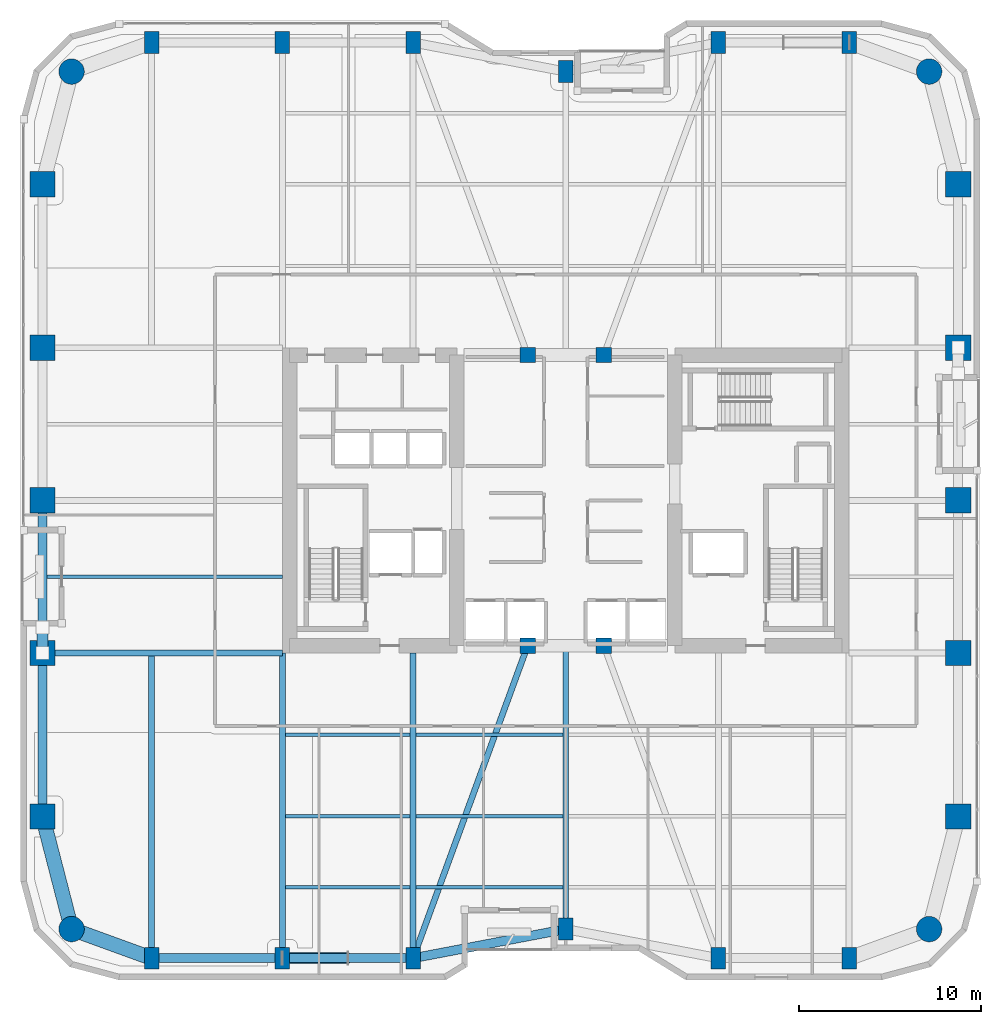
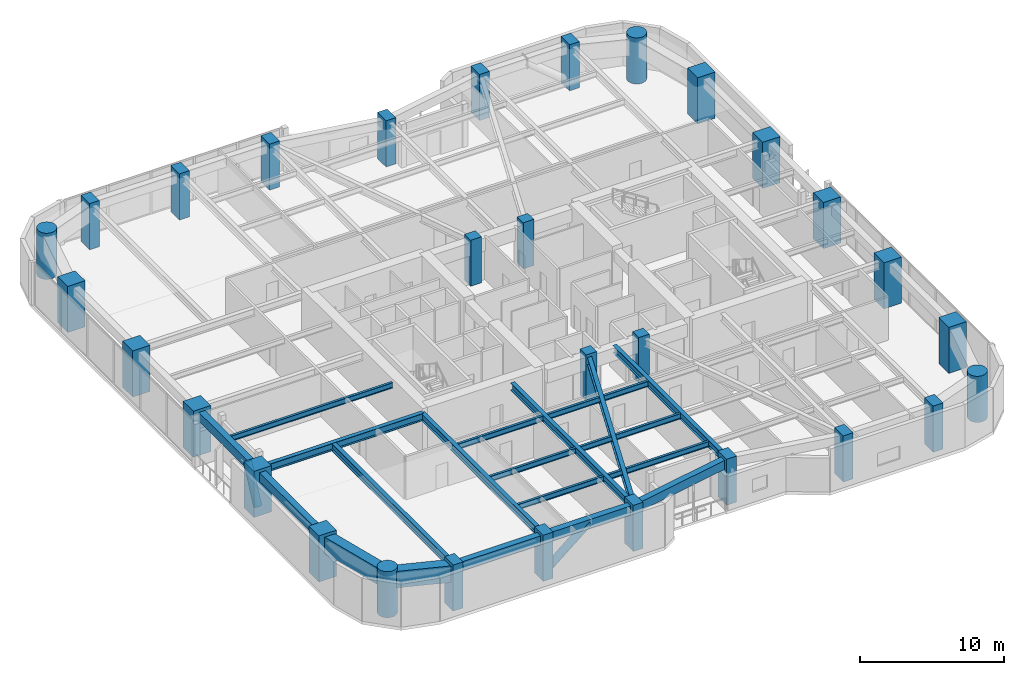
# One storey, part 1 of 24: 30 columns, 20 beams, 2 members.
"""IFC4 building model written with IfcOpenShell, lengths in metres."""

from ifc_helpers import new_model, si_unit, direction, frame, origin, origin_2d, place, context, subcontext, project, spatial, rectangle, circle, hollow_circle, i_section, extrude, material, material_profile, profile_set, type_object, element, save


model = new_model("IFC4")

# Units and contexts
model_context = context("Model", 3, precision=1e-05, world=origin(), true_north=direction((0.0, 1.0)))
body_context = subcontext(model_context, "Body", "Model", "MODEL_VIEW")
ifc_project = project(units=[si_unit("LENGTHUNIT", "METRE"), si_unit("AREAUNIT", "SQUARE_METRE"), si_unit("VOLUMEUNIT", "CUBIC_METRE"), si_unit("PLANEANGLEUNIT", "RADIAN"), si_unit("MASSUNIT", "GRAM", prefix="KILO")], contexts=[model_context])

# Site, building, storey
site_placement = place(None, origin())
site = spatial("IfcSite", under=ifc_project, at=site_placement, CompositionType="ELEMENT")
building_placement = place(site_placement, origin())
building = spatial("IfcBuilding", under=site, at=building_placement, Name="Kiyonajd Concourse Tower", CompositionType="ELEMENT")
storey_placement = place(building_placement, frame((0.0, 0.0, 109.199951171875)))
storey = spatial("IfcBuildingStorey", under=building, at=storey_placement, Name="L28", CompositionType="ELEMENT", Elevation=109.199951171875)

# Columns
ifc_material_1 = material(Name="Concrete C70/85", Category="concrete")
ifc_material_profile_1 = material_profile(ifc_material_1, rectangle(XDim=0.800048828125, YDim=1.199951171875, at=origin_2d()), Name="RC-1200x800")
ifc_profile_set_1 = profile_set([ifc_material_profile_1], Name="Concrete C70/85")
column_type_1 = type_object("IfcColumnType", Name="CL-BLADE-1200", PredefinedType="COLUMN", material=ifc_profile_set_1)
for number, where, z_axis, x_axis, name in (
    (1, (25.199951171875, 10.800048828125, 0.0), (0.0, 0.0, 1.0), (1.0, 0.0, 0.0), "L28 Perimeter Bundled Tube Column"),
    (2, (25.199951171875, 61.199951171875, 0.0), (0.0, 0.0, 1.0), (1.0, 0.0, 0.0), "L28 Perimeter Bundled Tube Column"),
    (3, (32.39990234375, 10.800048828125, 0.0), (0.0, 0.0, 1.0), (1.0, 0.0, 0.0), "L28 Perimeter Bundled Tube Column"),
    (4, (32.39990234375, 61.199951171875, 0.0), (0.0, 0.0, 1.0), (1.0, 0.0, 0.0), "L28 Perimeter Bundled Tube Column"),
    (5, (39.60009765625, 10.800048828125, 0.0), (0.0, 0.0, 1.0), (1.0, 0.0, 0.0), "L28 Perimeter Bundled Tube Column"),
    (6, (39.60009765625, 61.199951171875, 0.0), (0.0, 0.0, 1.0), (1.0, 0.0, 0.0), "L28 Perimeter Bundled Tube Column"),
    (7, (48.0, 12.39990234375, 0.0), (0.0, 0.0, 1.0), (1.0, 0.0, 0.0), "L28 Perimeter Bundled Tube Column"),
    (8, (48.0, 59.60009765625, 0.0), (0.0, 0.0, 1.0), (1.0, 0.0, 0.0), "L28 Perimeter Bundled Tube Column"),
    (9, (56.39990234375, 10.800048828125, 0.0), (0.0, 0.0, 1.0), (1.0, 0.0, 0.0), "L28 Perimeter Bundled Tube Column"),
    (10, (56.39990234375, 61.199951171875, 0.0), (0.0, 0.0, 1.0), (1.0, 0.0, 0.0), "L28 Perimeter Bundled Tube Column"),
    (11, (63.60009765625, 10.800048828125, 0.0), (0.0, 0.0, 1.0), (1.0, 0.0, 0.0), "L28 Perimeter Bundled Tube Column"),
    (12, (63.60009765625, 61.199951171875, 0.0), (0.0, 0.0, 1.0), (1.0, 0.0, 0.0), "L28 Perimeter Bundled Tube Column"),
):
    element("IfcColumn", number, at=place(storey_placement, frame(where, z_axis=z_axis, x_axis=x_axis)), inside=storey, type_object=column_type_1, Name=name, PredefinedType="COLUMN", context=body_context, shape_type="SweptSolid", body=[
        extrude(rectangle(XDim=0.800048828125, YDim=1.199951171875, at=origin_2d()), origin(), (0.0, 0.0, 1.0), 3.900146484375),
    ])
ifc_material_2 = material(Name="Concrete C80/95", Category="concrete")
ifc_material_profile_2 = material_profile(ifc_material_2, circle(Radius=0.699951171875, at=origin_2d()), Name="RCC-D1400")
ifc_profile_set_2 = profile_set([ifc_material_profile_2], Name="Concrete C80/95")
column_type_2 = type_object("IfcColumnType", Name="CL-RND-1400", PredefinedType="COLUMN", material=ifc_profile_set_2)
for number, where, z_axis, x_axis, name in (
    (13, (20.800048828125, 12.39990234375, 0.0), (0.0, 0.0, 1.0), (1.0, 0.0, 0.0), "L28 Bundled Tube Corner Column South West"),
    (14, (68.0, 12.39990234375, 0.0), (0.0, 0.0, 1.0), (1.0, 0.0, 0.0), "L28 Bundled Tube Corner Column South East"),
    (15, (68.0, 59.60009765625, 0.0), (0.0, 0.0, 1.0), (1.0, 0.0, 0.0), "L28 Bundled Tube Corner Column North East"),
    (16, (20.800048828125, 59.60009765625, 0.0), (0.0, 0.0, 1.0), (1.0, 0.0, 0.0), "L28 Bundled Tube Corner Column North West"),
):
    element("IfcColumn", number, at=place(storey_placement, frame(where, z_axis=z_axis, x_axis=x_axis)), inside=storey, type_object=column_type_2, Name=name, PredefinedType="COLUMN", context=body_context, shape_type="SweptSolid", body=[
        extrude(circle(Radius=0.699951171875, at=origin_2d()), origin(), (0.0, 0.0, 1.0), 3.900146484375),
    ])
ifc_material_profile_3 = material_profile(ifc_material_1, rectangle(XDim=1.39990234375, YDim=1.39990234375, at=origin_2d()), Name="RC-1400x1400")
ifc_profile_set_3 = profile_set([ifc_material_profile_3], Name="Concrete C70/85")
column_type_3 = type_object("IfcColumnType", Name="CL-TUBE-1400", PredefinedType="COLUMN", material=ifc_profile_set_3)
for number, where, z_axis, x_axis, name in (
    (17, (19.199951171875, 18.60009765625, 0.0), (0.0, 0.0, 1.0), (1.0, 0.0, 0.0), "L28 Perimeter Bundled Tube Column"),
    (18, (69.60009765625, 18.60009765625, 0.0), (0.0, 0.0, 1.0), (1.0, 0.0, 0.0), "L28 Perimeter Bundled Tube Column"),
    (19, (19.199951171875, 27.60009765625, 0.0), (0.0, 0.0, 1.0), (1.0, 0.0, 0.0), "L28 Perimeter Bundled Tube Column"),
    (20, (69.60009765625, 27.60009765625, 0.0), (0.0, 0.0, 1.0), (1.0, 0.0, 0.0), "L28 Perimeter Bundled Tube Column"),
    (21, (19.199951171875, 36.0, 0.0), (0.0, 0.0, 1.0), (1.0, 0.0, 0.0), "L28 Perimeter Bundled Tube Column"),
    (22, (69.60009765625, 36.0, 0.0), (0.0, 0.0, 1.0), (1.0, 0.0, 0.0), "L28 Perimeter Bundled Tube Column"),
    (23, (19.199951171875, 44.39990234375, 0.0), (0.0, 0.0, 1.0), (1.0, 0.0, 0.0), "L28 Perimeter Bundled Tube Column"),
    (24, (69.60009765625, 44.39990234375, 0.0), (0.0, 0.0, 1.0), (1.0, 0.0, 0.0), "L28 Perimeter Bundled Tube Column"),
    (25, (19.199951171875, 53.39990234375, 0.0), (0.0, 0.0, 1.0), (1.0, 0.0, 0.0), "L28 Perimeter Bundled Tube Column"),
    (26, (69.60009765625, 53.39990234375, 0.0), (0.0, 0.0, 1.0), (1.0, 0.0, 0.0), "L28 Perimeter Bundled Tube Column"),
):
    element("IfcColumn", number, at=place(storey_placement, frame(where, z_axis=z_axis, x_axis=x_axis)), inside=storey, type_object=column_type_3, Name=name, PredefinedType="COLUMN", context=body_context, shape_type="SweptSolid", body=[
        extrude(rectangle(XDim=1.39990234375, YDim=1.39990234375, at=origin_2d()), origin(), (0.0, 0.0, 1.0), 3.900146484375),
    ])
ifc_material_3 = material(Name="Concrete C60/75", Category="concrete")
ifc_material_profile_4 = material_profile(ifc_material_3, rectangle(XDim=0.85009765625, YDim=0.85009765625, at=origin_2d()), Name="RC-850x850")
ifc_profile_set_4 = profile_set([ifc_material_profile_4], Name="Concrete C60/75")
column_type_4 = type_object("IfcColumnType", Name="CL-TUBE-850", PredefinedType="COLUMN", material=ifc_profile_set_4)
for number, where, z_axis, x_axis, name in (
    (27, (45.89990234375, 28.0, 0.0), (0.0, 0.0, 1.0), (1.0, 0.0, 0.0), "L28 Core Tie Column South West"),
    (28, (50.10009765625, 28.0, 0.0), (0.0, 0.0, 1.0), (1.0, 0.0, 0.0), "L28 Core Tie Column South East"),
    (29, (45.89990234375, 44.0, 0.0), (0.0, 0.0, 1.0), (1.0, 0.0, 0.0), "L28 Core Tie Column North West"),
    (30, (50.10009765625, 44.0, 0.0), (0.0, 0.0, 1.0), (1.0, 0.0, 0.0), "L28 Core Tie Column North East"),
):
    element("IfcColumn", number, at=place(storey_placement, frame(where, z_axis=z_axis, x_axis=x_axis)), inside=storey, type_object=column_type_4, Name=name, PredefinedType="COLUMN", context=body_context, shape_type="SweptSolid", body=[
        extrude(rectangle(XDim=0.85009765625, YDim=0.85009765625, at=origin_2d()), origin(), (0.0, 0.0, 1.0), 3.900146484375),
    ])

# Beams
ifc_material_4 = material(Name="Steel ASTM A992 Grade 50", Category="steel")
ifc_material_profile_5 = material_profile(ifc_material_4, i_section(OverallWidth=0.19189453125, OverallDepth=0.462890625, WebThickness=0.010498046875, FlangeThickness=0.017578125, at=origin_2d()), Name="W460X89")
ifc_profile_set_5 = profile_set([ifc_material_profile_5], Name="Steel ASTM A992 Grade 50")
beam_type_1 = type_object("IfcBeamType", Name="BM-JST-460B", PredefinedType="JOIST", material=ifc_profile_set_5)
beam_1_placement = place(storey_placement, frame((32.5634765625, 14.699951171875, 3.408447265625), z_axis=(1.0, 0.0, 0.0), x_axis=(0.0, 1.0, 0.0)))
element("IfcBeam", 31, at=beam_1_placement, inside=storey, type_object=beam_type_1, Name="L28 Secondary Floor Joist", PredefinedType="JOIST", context=body_context, shape_type="SweptSolid", body=[
    extrude(i_section(OverallWidth=0.19189453125, OverallDepth=0.462890625, WebThickness=0.010498046875, FlangeThickness=0.017578125, at=origin_2d()), origin(), (0.0, 0.0, 1.0), 6.873046875),
])
beam_2_placement = place(storey_placement, frame((39.763427734375, 14.699951171875, 3.408447265625), z_axis=(1.0, 0.0, 0.0), x_axis=(0.0, 1.0, 0.0)))
element("IfcBeam", 32, at=beam_2_placement, inside=storey, type_object=beam_type_1, Name="L28 Secondary Floor Joist", PredefinedType="JOIST", context=body_context, shape_type="SweptSolid", body=[
    extrude(i_section(OverallWidth=0.19189453125, OverallDepth=0.462890625, WebThickness=0.010498046875, FlangeThickness=0.017578125, at=origin_2d()), origin(), (0.0, 0.0, 1.0), 8.072998046875),
])
beam_3_placement = place(storey_placement, frame((32.5634765625, 18.60009765625, 3.408447265625), z_axis=(1.0, 0.0, 0.0), x_axis=(0.0, 1.0, 0.0)))
element("IfcBeam", 33, at=beam_3_placement, inside=storey, type_object=beam_type_1, Name="L28 Secondary Floor Joist", PredefinedType="JOIST", context=body_context, shape_type="SweptSolid", body=[
    extrude(i_section(OverallWidth=0.19189453125, OverallDepth=0.462890625, WebThickness=0.010498046875, FlangeThickness=0.017578125, at=origin_2d()), origin(), (0.0, 0.0, 1.0), 6.873046875),
])
beam_4_placement = place(storey_placement, frame((39.763427734375, 18.60009765625, 3.408447265625), z_axis=(1.0, 0.0, 0.0), x_axis=(0.0, 1.0, 0.0)))
element("IfcBeam", 34, at=beam_4_placement, inside=storey, type_object=beam_type_1, Name="L28 Secondary Floor Joist", PredefinedType="JOIST", context=body_context, shape_type="SweptSolid", body=[
    extrude(i_section(OverallWidth=0.19189453125, OverallDepth=0.462890625, WebThickness=0.010498046875, FlangeThickness=0.017578125, at=origin_2d()), origin(), (0.0, 0.0, 1.0), 8.072998046875),
])
beam_5_placement = place(storey_placement, frame((32.5634765625, 23.10009765625, 3.408447265625), z_axis=(1.0, 0.0, 0.0), x_axis=(0.0, 1.0, 0.0)))
element("IfcBeam", 35, at=beam_5_placement, inside=storey, type_object=beam_type_1, Name="L28 Secondary Floor Joist", PredefinedType="JOIST", context=body_context, shape_type="SweptSolid", body=[
    extrude(i_section(OverallWidth=0.19189453125, OverallDepth=0.462890625, WebThickness=0.010498046875, FlangeThickness=0.017578125, at=origin_2d()), origin(), (0.0, 0.0, 1.0), 6.873046875),
])
beam_6_placement = place(storey_placement, frame((39.763427734375, 23.10009765625, 3.408447265625), z_axis=(1.0, 0.0, 0.0), x_axis=(0.0, 1.0, 0.0)))
element("IfcBeam", 36, at=beam_6_placement, inside=storey, type_object=beam_type_1, Name="L28 Secondary Floor Joist", PredefinedType="JOIST", context=body_context, shape_type="SweptSolid", body=[
    extrude(i_section(OverallWidth=0.19189453125, OverallDepth=0.462890625, WebThickness=0.010498046875, FlangeThickness=0.017578125, at=origin_2d()), origin(), (0.0, 0.0, 1.0), 8.072998046875),
])
beam_7_placement = place(storey_placement, frame((19.449951171875, 31.800048828125, 3.408447265625), z_axis=(1.0, 0.0, 0.0), x_axis=(0.0, 1.0, 0.0)))
element("IfcBeam", 37, at=beam_7_placement, inside=storey, type_object=beam_type_1, Name="L28 West Secondary Floor Joist", PredefinedType="JOIST", context=body_context, shape_type="SweptSolid", body=[
    extrude(i_section(OverallWidth=0.19189453125, OverallDepth=0.462890625, WebThickness=0.010498046875, FlangeThickness=0.017578125, at=origin_2d()), origin(), (0.0, 0.0, 1.0), 12.949951171875),
])
ifc_material_5 = material(Name="Precast concrete C50/60", Category="concrete")
ifc_material_profile_6 = material_profile(ifc_material_5, rectangle(XDim=0.5, YDim=0.75, at=origin_2d()), Name="RCBM-500x750")
ifc_profile_set_6 = profile_set([ifc_material_profile_6], Name="Precast concrete C50/60")
beam_type_2 = type_object("IfcBeamType", Name="BM-SPAN-RC", PredefinedType="SPANDREL", material=ifc_profile_set_6)
beam_8_placement = place(storey_placement, frame((19.199951171875, 27.60009765625, 3.26513671875), z_axis=(0.0, -1.0, 0.0), x_axis=(1.0, 0.0, 0.0)))
element("IfcBeam", 38, at=beam_8_placement, inside=storey, type_object=beam_type_2, Name="L28 Perimeter Bundled Tube Spandrel", PredefinedType="SPANDREL", context=body_context, shape_type="SweptSolid", body=[
    extrude(rectangle(XDim=0.5, YDim=0.75, at=origin_2d()), origin(), (0.0, 0.0, 1.0), 9.0),
])
beam_9_placement = place(storey_placement, frame((25.199951171875, 10.800048828125, 3.26513671875), z_axis=(1.0, 0.0, 0.0), x_axis=(0.0, 1.0, 0.0)))
element("IfcBeam", 39, at=beam_9_placement, inside=storey, type_object=beam_type_2, Name="L28 Perimeter Bundled Tube Spandrel", PredefinedType="SPANDREL", context=body_context, shape_type="SweptSolid", body=[
    extrude(rectangle(XDim=0.5, YDim=0.75, at=origin_2d()), origin(), (0.0, 0.0, 1.0), 7.199951171875),
])
beam_10_placement = place(storey_placement, frame((32.39990234375, 10.800048828125, 3.26513671875), z_axis=(1.0, 0.0, 0.0), x_axis=(0.0, 1.0, 0.0)))
element("IfcBeam", 40, at=beam_10_placement, inside=storey, type_object=beam_type_2, Name="L28 Perimeter Bundled Tube Spandrel", PredefinedType="SPANDREL", context=body_context, shape_type="SweptSolid", body=[
    extrude(rectangle(XDim=0.5, YDim=0.75, at=origin_2d()), origin(), (0.0, 0.0, 1.0), 7.2001953125),
])
beam_11_placement = place(storey_placement, frame((39.60009765625, 10.800048828125, 3.26513671875), z_axis=(0.982341315253, 0.187097675953, 0.0), x_axis=(-0.187097675953, 0.982341315253, 0.0)))
element("IfcBeam", 41, at=beam_11_placement, inside=storey, type_object=beam_type_2, Name="L28 Perimeter Bundled Tube Spandrel", PredefinedType="SPANDREL", context=body_context, shape_type="SweptSolid", body=[
    extrude(rectangle(XDim=0.5, YDim=0.75, at=origin_2d()), origin(), (0.0, 0.0, 1.0), 8.55078125),
])
beam_12_placement = place(storey_placement, frame((19.199951171875, 36.0, 3.26513671875), z_axis=(0.0, -1.0, 0.0), x_axis=(1.0, 0.0, 0.0)))
element("IfcBeam", 42, at=beam_12_placement, inside=storey, type_object=beam_type_2, Name="L28 Perimeter Bundled Tube Spandrel", PredefinedType="SPANDREL", context=body_context, shape_type="SweptSolid", body=[
    extrude(rectangle(XDim=0.5, YDim=0.75, at=origin_2d()), origin(), (0.0, 0.0, 1.0), 8.39990234375),
])
ifc_material_profile_7 = material_profile(ifc_material_4, i_section(OverallWidth=0.326904296875, OverallDepth=0.6220703125, WebThickness=0.015380859375, FlangeThickness=0.0244140625, at=origin_2d()), Name="W610X195")
ifc_profile_set_7 = profile_set([ifc_material_profile_7], Name="Steel ASTM A992 Grade 50")
beam_type_3 = type_object("IfcBeamType", Name="BM-TWR-610A", PredefinedType="BEAM", material=ifc_profile_set_7)
beam_13_placement = place(storey_placement, frame((39.60009765625, 10.800048828125, 3.3291015625), z_axis=(0.343925269715, 0.938997022813, 0.0), x_axis=(-0.938997022813, 0.343925269715, 0.0)))
element("IfcBeam", 43, at=beam_13_placement, inside=storey, type_object=beam_type_3, Name="L28 Core Tie Girder", PredefinedType="BEAM", context=body_context, shape_type="SweptSolid", body=[
    extrude(i_section(OverallWidth=0.326904296875, OverallDepth=0.6220703125, WebThickness=0.015380859375, FlangeThickness=0.0244140625, at=origin_2d()), origin(), (0.0, 0.0, 1.0), 18.3173828125),
])
for number, where, z_axis, x_axis, name in (
    (44, (25.199951171875, 10.800048828125, 3.3291015625), (0.0, 1.0, 0.0), (-1.0, 0.0, 0.0), "L28 South Lease Girder"),
    (45, (32.39990234375, 10.800048828125, 3.3291015625), (0.0, 1.0, 0.0), (-1.0, 0.0, 0.0), "L28 South Lease Girder"),
    (46, (39.60009765625, 10.800048828125, 3.3291015625), (0.0, 1.0, 0.0), (-1.0, 0.0, 0.0), "L28 South Lease Girder"),
):
    element("IfcBeam", number, at=place(storey_placement, frame(where, z_axis=z_axis, x_axis=x_axis)), inside=storey, type_object=beam_type_3, Name=name, PredefinedType="BEAM", context=body_context, shape_type="SweptSolid", body=[
        extrude(i_section(OverallWidth=0.326904296875, OverallDepth=0.6220703125, WebThickness=0.015380859375, FlangeThickness=0.0244140625, at=origin_2d()), origin(), (0.0, 0.0, 1.0), 16.800048828125),
    ])
beam_14_placement = place(storey_placement, frame((48.0, 12.39990234375, 3.3291015625), z_axis=(0.0, 1.0, 0.0), x_axis=(-1.0, 0.0, 0.0)))
element("IfcBeam", 47, at=beam_14_placement, inside=storey, type_object=beam_type_3, Name="L28 South Ribbon Girder", PredefinedType="BEAM", context=body_context, shape_type="SweptSolid", body=[
    extrude(i_section(OverallWidth=0.326904296875, OverallDepth=0.6220703125, WebThickness=0.015380859375, FlangeThickness=0.0244140625, at=origin_2d()), origin(), (0.0, 0.0, 1.0), 15.60009765625),
])
beam_15_placement = place(storey_placement, frame((19.199951171875, 27.60009765625, 3.3291015625), z_axis=(1.0, 0.0, 0.0), x_axis=(0.0, 1.0, 0.0)))
element("IfcBeam", 48, at=beam_15_placement, inside=storey, type_object=beam_type_3, Name="L28 West Lease Girder", PredefinedType="BEAM", context=body_context, shape_type="SweptSolid", body=[
    extrude(i_section(OverallWidth=0.326904296875, OverallDepth=0.6220703125, WebThickness=0.015380859375, FlangeThickness=0.0244140625, at=origin_2d()), origin(), (0.0, 0.0, 1.0), 13.199951171875),
])
ifc_material_profile_8 = material_profile(ifc_material_3, rectangle(XDim=0.800048828125, YDim=1.39990234375, at=origin_2d()), Name="RCBM-800x1400")
ifc_profile_set_8 = profile_set([ifc_material_profile_8], Name="Concrete C60/75")
beam_type_4 = type_object("IfcBeamType", Name="BM-XFER-RC", PredefinedType="BEAM", material=ifc_profile_set_8)
beam_16_placement = place(storey_placement, frame((19.199951171875, 18.60009765625, 2.93994140625), z_axis=(0.249884937687, -0.968275538221, 0.0), x_axis=(0.968275538221, 0.249884937687, 0.0)))
element("IfcBeam", 49, at=beam_16_placement, inside=storey, type_object=beam_type_4, Name="L28 Perimeter Bundled Tube Spandrel", PredefinedType="BEAM", context=body_context, shape_type="SweptSolid", body=[
    extrude(rectangle(XDim=0.800048828125, YDim=1.39990234375, at=origin_2d()), origin(), (0.0, 0.0, 1.0), 6.4033203125),
])
beam_17_placement = place(storey_placement, frame((20.800048828125, 12.39990234375, 2.93994140625), z_axis=(0.939801036019, -0.341722127901, 0.0), x_axis=(0.341722127901, 0.939801036019, 0.0)))
element("IfcBeam", 50, at=beam_17_placement, inside=storey, type_object=beam_type_4, Name="L28 Perimeter Bundled Tube Spandrel", PredefinedType="BEAM", context=body_context, shape_type="SweptSolid", body=[
    extrude(rectangle(XDim=0.800048828125, YDim=1.39990234375, at=origin_2d()), origin(), (0.0, 0.0, 1.0), 4.681640625),
])

# Members
ifc_material_6 = material(Name="Steel ASTM A572 Grade 50", Category="steel")
ifc_material_profile_9 = material_profile(ifc_material_6, hollow_circle(Radius=0.304931640625, WallThickness=0.02490234375, at=origin_2d()), Name="CHS-610x25")
ifc_profile_set_9 = profile_set([ifc_material_profile_9], Name="Steel ASTM A572 Grade 50")
member_type = type_object("IfcMemberType", Name="MB-PB-LOW", PredefinedType="BRACE", material=ifc_profile_set_9)
member_1_placement = place(storey_placement, frame((32.39990234375, 10.800048828125, 0.300048828125), z_axis=(0.769280705518, 0.0, 0.638910945373), x_axis=(0.0, 1.0, 0.0)))
element("IfcMember", 51, at=member_1_placement, inside=storey, type_object=member_type, Name="L28 Lower Zone Welded Tube Brace PBS", PredefinedType="BRACE", context=body_context, shape_type="SweptSolid", body=[
    extrude(hollow_circle(Radius=0.304931640625, WallThickness=0.02490234375, at=origin_2d()), origin(), (0.0, 0.0, 1.0), 4.679931640625),
])
member_2_placement = place(storey_placement, frame((19.199951171875, 27.60009765625, 0.300048828125), z_axis=(0.0, 0.424022702926, 0.905651559598), x_axis=(-1.0, 0.0, 0.0)))
element("IfcMember", 52, at=member_2_placement, inside=storey, type_object=member_type, Name="L28 Lower Zone Welded Tube Brace PBW", PredefinedType="BRACE", context=body_context, shape_type="SweptSolid", body=[
    extrude(hollow_circle(Radius=0.304931640625, WallThickness=0.02490234375, at=origin_2d()), origin(), (0.0, 0.0, 1.0), 3.301513671875),
])

save(model, "model.ifc")
